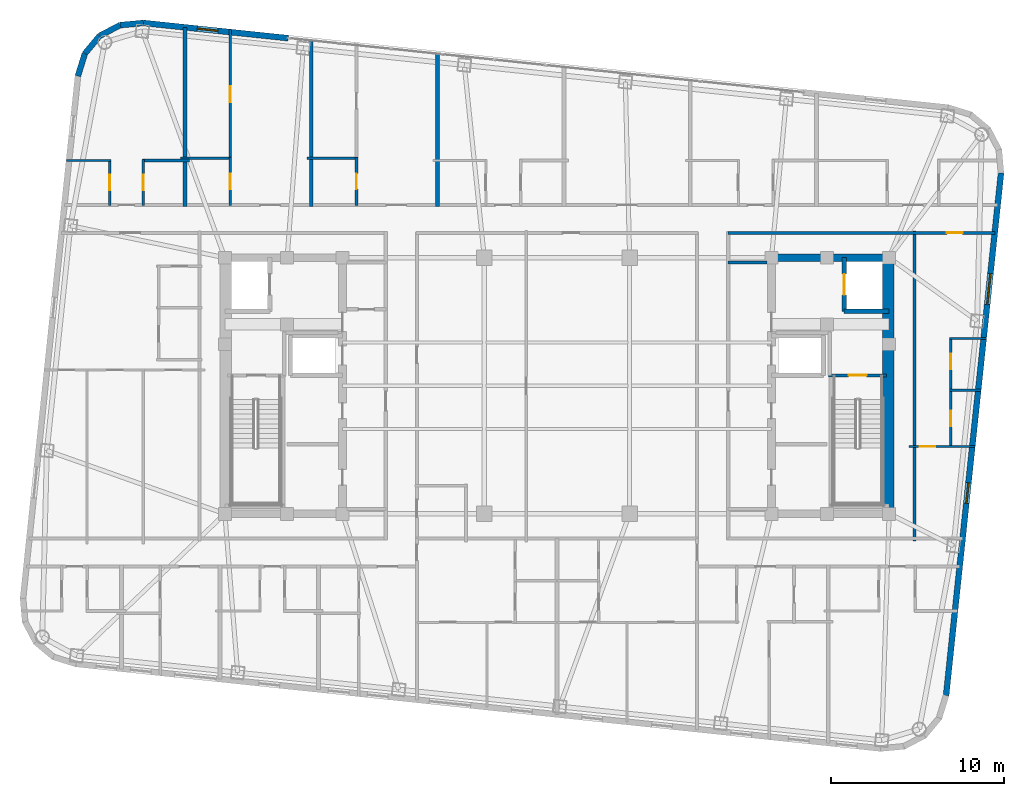
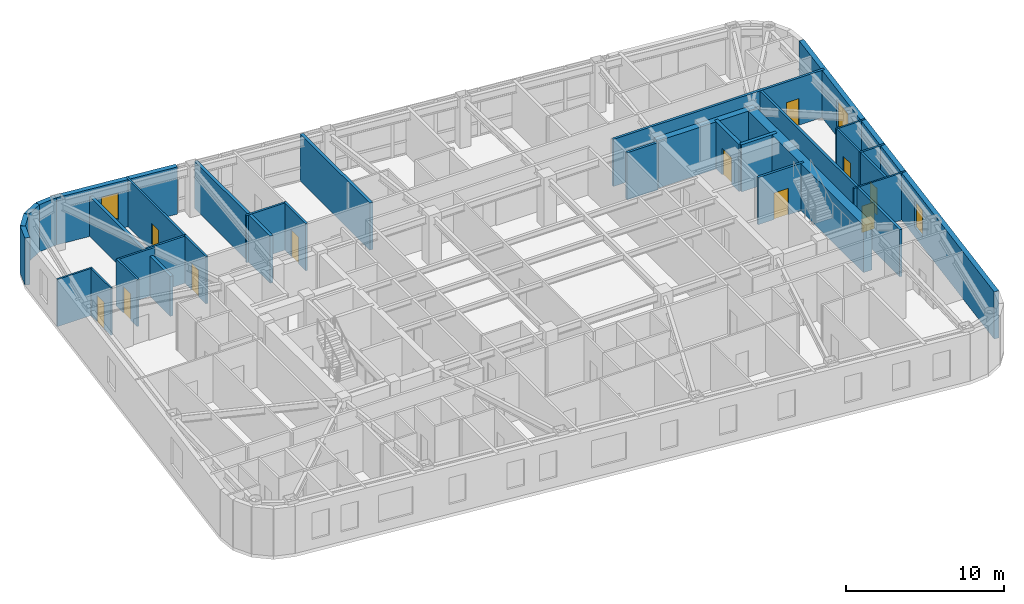
# One storey, part 12 of 15: 31 walls, 11 doors, 3 windows, 14 openings.
"""IFC4 building model written with IfcOpenShell, lengths in metres."""

from ifc_helpers import new_model, si_unit, direction, frame, frame_2d, origin, place, context, subcontext, project, spatial, rectangle, extrude, material, layer, layer_set, type_object, element, fill, save


model = new_model("IFC4")

# Units and contexts
model_context = context("Model", 3, precision=1e-05, world=origin(), true_north=direction((0.0, 1.0)))
body_context = subcontext(model_context, "Body", "Model", "MODEL_VIEW")
ifc_project = project(units=[si_unit("LENGTHUNIT", "METRE"), si_unit("AREAUNIT", "SQUARE_METRE"), si_unit("VOLUMEUNIT", "CUBIC_METRE"), si_unit("PLANEANGLEUNIT", "RADIAN"), si_unit("MASSUNIT", "GRAM", prefix="KILO")], contexts=[model_context])

# Site, building, storey
site_placement = place(None, origin())
site = spatial("IfcSite", under=ifc_project, at=site_placement, CompositionType="ELEMENT")
building_placement = place(site_placement, origin())
building = spatial("IfcBuilding", under=site, at=building_placement, Name="Voryun Gate Residences", CompositionType="ELEMENT")
storey_placement = place(building_placement, frame((0.0, 0.0, 263.89990234375)))
storey = spatial("IfcBuildingStorey", under=building, at=storey_placement, Name="L65", CompositionType="ELEMENT", Elevation=263.89990234375)

# Walls
ifc_material_1 = material(Name="Concrete C50/60", Category="concrete")
ifc_layer_1 = layer(ifc_material_1, 0.449951171875, Name="CW_CORE_450")
ifc_layer_set_1 = layer_set([ifc_layer_1], Name="Concrete C50/60")
wall_type_1 = type_object("IfcWallType", Name="CW_CORE_450", PredefinedType="SHEAR", material=ifc_layer_set_1)
wall_1_placement = place(storey_placement, frame((12.175048828125, 7.39990234375, 0.0), z_axis=(0.0, 0.0, 1.0), x_axis=(1.0, 0.0, 0.0)))
element("IfcWall", 1, at=wall_1_placement, inside=storey, type_object=wall_type_1, Name="L65 Core shear wall CW-L65-EN", PredefinedType="SHEAR", context=body_context, shape_type="SweptSolid", body=[
    extrude(rectangle(XDim=7.25, YDim=0.449951171875, at=frame_2d((3.625, 0.0))), origin(), (0.0, 0.0, 1.0), 3.650146484375),
])
ifc_material_2 = material(Name="Concrete C60/75", Category="concrete")
ifc_layer_2 = layer(ifc_material_2, 0.64990234375, Name="CW_CORE_650")
ifc_layer_set_2 = layer_set([ifc_layer_2], Name="Concrete C60/75")
wall_type_2 = type_object("IfcWallType", Name="CW_CORE_650", PredefinedType="SHEAR", material=ifc_layer_set_2)
wall_2_placement = place(storey_placement, frame((19.14501953125, -7.39990234375, 0.0), z_axis=(0.0, 0.0, 1.0), x_axis=(0.0, 1.0, 0.0)))
element("IfcWall", 2, at=wall_2_placement, inside=storey, type_object=wall_type_2, Name="L65 Core shear wall CW-L65-EE", PredefinedType="SHEAR", context=body_context, shape_type="SweptSolid", body=[
    extrude(rectangle(XDim=14.7998046875, YDim=0.64990234375, at=frame_2d((7.39990234375, 0.0))), origin(), (0.0, 0.0, 1.0), 3.650146484375),
])

# Wall, opening, door
ifc_material_3 = material(Name="Gypsum acoustic fireboard")
ifc_layer_3 = layer(ifc_material_3, 0.179931640625, Name="W_CORR_RATED_180")
ifc_layer_set_3 = layer_set([ifc_layer_3], Name="Gypsum acoustic fireboard")
wall_type_3 = type_object("IfcWallType", Name="W_CORR_RATED_180", PredefinedType="PARTITIONING", material=ifc_layer_set_3)
wall_3_placement = place(storey_placement, frame((15.699951171875, 0.60009765625, 0.0), z_axis=(0.0, 0.0, 1.0), x_axis=(1.0, 0.0, 0.0)))
wall_3 = element("IfcWall", 3, at=wall_3_placement, inside=storey, type_object=wall_type_3, Name="Partition wall WP-L65-STV-E", PredefinedType="PARTITIONING", context=body_context, shape_type="SweptSolid", body=[
    extrude(rectangle(XDim=3.360107421875, YDim=0.179931640625, at=frame_2d((1.68017578125, 0.0))), origin(), (0.0, 0.0, 1.0), 3.650146484375),
])
opening_1_placement = place(wall_3_placement, frame((1.155029296875, 0.0, 0.0)))
opening_1 = element("IfcOpeningElement", 4, at=opening_1_placement, cuts=wall_3, Name="Opening D-FD60-1", PredefinedType="OPENING", context=body_context, shape_type="SweptSolid", body=[
    extrude(rectangle(XDim=1.050048828125, YDim=2.050048828125, at=frame_2d((0.52490234375, 1.02490234375))), frame((0.0, 0.099853515625, 0.0), z_axis=(0.0, -1.0, 0.0), x_axis=(1.0, 0.0, 0.0)), (0.0, 0.0, 1.0), 0.199951171875),
])
ifc_material_4 = material(Name="Painted steel fire door", Category="steel")
door_type_1 = type_object("IfcDoorType", Name="DR_FD60_STAIR_1050", OperationType="NOTDEFINED", PredefinedType="DOOR", material=ifc_material_4)
door_1_placement = place(opening_1_placement, origin())
door_1 = element("IfcDoor", 5, at=door_1_placement, inside=storey, type_object=door_type_1, Name="Door DR-L65-ST-E", OperationType="SINGLE_SWING_RIGHT", OverallHeight=2.050048828125, OverallWidth=1.050048828125, PredefinedType="DOOR", context=body_context, shape_type="SweptSolid", body=[
    extrude(rectangle(XDim=1.050048828125, YDim=2.050048828125, at=frame_2d((0.52490234375, 1.02490234375))), frame((0.0, 0.02490234375, 0.0), z_axis=(0.0, -1.0, 0.0), x_axis=(1.0, 0.0, 0.0)), (0.0, 0.0, 1.0), 0.050048828125),
])
fill(opening_1, door_1)

# Wall
wall_4_placement = place(storey_placement, frame((9.8798828125, 7.1201171875, 0.0), z_axis=(0.0, 0.0, 1.0), x_axis=(1.0, 0.0, 0.0)))
element("IfcWall", 6, at=wall_4_placement, inside=storey, type_object=wall_type_3, Name="Partition wall WP-L65-PLBN-E", PredefinedType="PARTITIONING", context=body_context, shape_type="SweptSolid", body=[
    extrude(rectangle(XDim=2.27001953125, YDim=0.179931640625, at=frame_2d((1.135009765625, 0.0))), origin(), (0.0, 0.0, 1.0), 3.650146484375),
])

# Wall, opening, door
wall_5_placement = place(storey_placement, frame((9.8798828125, 8.840087890625, 0.0), z_axis=(0.0, 0.0, 1.0), x_axis=(1.0, 0.0, 0.0)))
wall_5 = element("IfcWall", 7, at=wall_5_placement, inside=storey, type_object=wall_type_3, Name="Partition wall WP-L65-CWING-EN", PredefinedType="PARTITIONING", context=body_context, shape_type="SweptSolid", body=[
    extrude(rectangle(XDim=15.427001953125, YDim=0.179931640625, at=frame_2d((7.71337890625, 0.0))), origin(), (0.0, 0.0, 1.0), 3.650146484375),
])
opening_2_placement = place(wall_5_placement, frame((12.662841796875, 0.0, 0.0)))
opening_2 = element("IfcOpeningElement", 8, at=opening_2_placement, cuts=wall_5, Name="Opening D-INT-2", PredefinedType="OPENING", context=body_context, shape_type="SweptSolid", body=[
    extrude(rectangle(XDim=0.89990234375, YDim=2.050048828125, at=frame_2d((0.449951171875, 1.02490234375))), frame((0.0, 0.099853515625, 0.0), z_axis=(0.0, -1.0, 0.0), x_axis=(1.0, 0.0, 0.0)), (0.0, 0.0, 1.0), 0.199951171875),
])
ifc_material_5 = material(Name="Architectural oak veneer")
door_type_2 = type_object("IfcDoorType", Name="DR_INT_BATH_900", OperationType="NOTDEFINED", PredefinedType="DOOR", material=ifc_material_5)
door_2_placement = place(opening_2_placement, origin())
door_2 = element("IfcDoor", 9, at=door_2_placement, inside=storey, type_object=door_type_2, Name="Door DR-L65-EE1N", OperationType="SINGLE_SWING_LEFT", OverallHeight=2.050048828125, OverallWidth=0.89990234375, PredefinedType="DOOR", context=body_context, shape_type="SweptSolid", body=[
    extrude(rectangle(XDim=0.89990234375, YDim=2.050048828125, at=frame_2d((0.449951171875, 1.02490234375))), frame((0.0, 0.02490234375, 0.0), z_axis=(0.0, -1.0, 0.0), x_axis=(1.0, 0.0, 0.0)), (0.0, 0.0, 1.0), 0.050048828125),
])
fill(opening_2, door_2)

# Walls
wall_6_placement = place(storey_placement, frame((20.669921875, -8.9599609375, 0.0), z_axis=(0.0, 0.0, 1.0), x_axis=(0.0, 1.0, 0.0)))
element("IfcWall", 10, at=wall_6_placement, inside=storey, type_object=wall_type_3, Name="Partition wall WP-L65-ECOR", PredefinedType="PARTITIONING", context=body_context, shape_type="SweptSolid", body=[
    extrude(rectangle(XDim=17.919921875, YDim=0.179931640625, at=frame_2d((8.9599609375, 0.0))), origin(), (0.0, 0.0, 1.0), 3.650146484375),
])
ifc_material_6 = material(Name="Charcoal terracotta masonry", Category="masonry")
ifc_layer_4 = layer(ifc_material_6, 0.340087890625, Name="W_EXT_TERRACOTTA_340")
ifc_layer_set_4 = layer_set([ifc_layer_4], Name="Charcoal terracotta masonry")
wall_type_4 = type_object("IfcWallType", Name="W_EXT_TERRACOTTA_340", PredefinedType="ELEMENTEDWALL", material=ifc_layer_set_4)
wall_7_placement = place(storey_placement, frame((-27.69580078125, 17.904541015625, 0.0), z_axis=(0.0, 0.0, 1.0), x_axis=(0.296416228123, 0.955058856671, 0.0)))
element("IfcWall", 11, at=wall_7_placement, inside=storey, type_object=wall_type_4, Name="Exterior wall WEXT-L65-07", PredefinedType="ELEMENTEDWALL", context=body_context, shape_type="SweptSolid", body=[
    extrude(rectangle(XDim=1.35400390625, YDim=0.340087890625, at=frame_2d((0.677001953125, 0.0))), origin(), (0.0, 0.0, 1.0), 3.650146484375),
])
wall_8_placement = place(storey_placement, frame((-27.29443359375, 19.19775390625, 0.0), z_axis=(0.0, 0.0, 1.0), x_axis=(0.639501603217, 0.768789762863, 0.0)))
element("IfcWall", 12, at=wall_8_placement, inside=storey, type_object=wall_type_4, Name="Exterior wall WEXT-L65-08", PredefinedType="ELEMENTEDWALL", context=body_context, shape_type="SweptSolid", body=[
    extrude(rectangle(XDim=1.3369140625, YDim=0.340087890625, at=frame_2d((0.66845703125, 0.0))), origin(), (0.0, 0.0, 1.0), 3.650146484375),
])
wall_9_placement = place(storey_placement, frame((-26.439453125, 20.2255859375, 0.0), z_axis=(0.0, 0.0, 1.0), x_axis=(0.884922182678, 0.465738908193, 0.0)))
element("IfcWall", 13, at=wall_9_placement, inside=storey, type_object=wall_type_4, Name="Exterior wall WEXT-L65-09", PredefinedType="ELEMENTEDWALL", context=body_context, shape_type="SweptSolid", body=[
    extrude(rectangle(XDim=1.337158203125, YDim=0.340087890625, at=frame_2d((0.66845703125, 0.0))), origin(), (0.0, 0.0, 1.0), 3.650146484375),
])
wall_10_placement = place(storey_placement, frame((-25.256103515625, 20.848388671875, 0.0), z_axis=(0.0, 0.0, 1.0), x_axis=(0.995813013343, 0.091413579172, 0.0)))
element("IfcWall", 14, at=wall_10_placement, inside=storey, type_object=wall_type_4, Name="Exterior wall WEXT-L65-10", PredefinedType="ELEMENTEDWALL", context=body_context, shape_type="SweptSolid", body=[
    extrude(rectangle(XDim=1.35400390625, YDim=0.340087890625, at=frame_2d((0.677001953125, 0.0))), origin(), (0.0, 0.0, 1.0), 3.650146484375),
])

# Wall, opening, window
wall_11_placement = place(storey_placement, frame((-23.90771484375, 20.97216796875, 0.0), z_axis=(0.0, 0.0, 1.0), x_axis=(0.994522285292, -0.104524753323, 0.0)))
wall_11 = element("IfcWall", 15, at=wall_11_placement, inside=storey, type_object=wall_type_4, Name="Exterior wall WEXT-L65-11A", PredefinedType="ELEMENTEDWALL", context=body_context, shape_type="SweptSolid", body=[
    extrude(rectangle(XDim=8.41796875, YDim=0.340087890625, at=frame_2d((4.208984375, 0.0))), origin(), (0.0, 0.0, 1.0), 3.650146484375),
])
opening_3_placement = place(wall_11_placement, frame((3.135498046875, 0.0, 0.75)))
opening_3 = element("IfcOpeningElement", 16, at=opening_3_placement, cuts=wall_11, Name="Opening WN6", PredefinedType="OPENING", context=body_context, shape_type="SweptSolid", body=[
    extrude(rectangle(XDim=1.199951171875, YDim=2.050048828125, at=frame_2d((0.60009765625, 1.02490234375))), frame((0.0, 0.179931640625, 0.0), z_axis=(0.0, -1.0, 0.0), x_axis=(1.0, 0.0, 0.0)), (0.0, 0.0, 1.0), 0.360107421875),
])
ifc_material_7 = material(Name="Laminated low-E glass", Category="glass")
window_type_1 = type_object("IfcWindowType", Name="WN_POD_SLOT_1200", PartitioningType="SINGLE_PANEL", PredefinedType="WINDOW", material=ifc_material_7)
window_1_placement = place(opening_3_placement, origin())
window_1 = element("IfcWindow", 17, at=window_1_placement, inside=storey, type_object=window_type_1, Name="Window WN-L65-DWFIX-02", OverallHeight=2.050048828125, OverallWidth=1.199951171875, PartitioningType="SINGLE_PANEL", PredefinedType="WINDOW", context=body_context, shape_type="SweptSolid", body=[
    extrude(rectangle(XDim=1.199951171875, YDim=2.050048828125, at=frame_2d((0.60009765625, 1.02490234375))), frame((0.0, 0.030029296875, 0.0), z_axis=(0.0, -1.0, 0.0), x_axis=(1.0, 0.0, 0.0)), (0.0, 0.0, 1.0), 0.06005859375),
])
fill(opening_3, window_1)

# Wall, openings, windows
wall_12_placement = place(storey_placement, frame((25.670166015625, 12.295654296875, 0.0), z_axis=(0.0, 0.0, 1.0), x_axis=(-0.104533282919, -0.994521388791, 0.0)))
wall_12 = element("IfcWall", 18, at=wall_12_placement, inside=storey, type_object=wall_type_4, Name="Exterior wall WEXT-L65-16", PredefinedType="ELEMENTEDWALL", context=body_context, shape_type="SweptSolid", body=[
    extrude(rectangle(XDim=30.366455078125, YDim=0.340087890625, at=frame_2d((15.18310546875, 0.0))), origin(), (0.0, 0.0, 1.0), 3.650146484375),
])
opening_4_placement = place(wall_12_placement, frame((5.841552734375, 0.0, 0.75)))
opening_4 = element("IfcOpeningElement", 19, at=opening_4_placement, cuts=wall_12, Name="Opening WN1", PredefinedType="OPENING", context=body_context, shape_type="SweptSolid", body=[
    extrude(rectangle(XDim=1.800048828125, YDim=2.10009765625, at=frame_2d((0.89990234375, 1.050048828125))), frame((0.0, 0.179931640625, 0.0), z_axis=(0.0, -1.0, 0.0), x_axis=(1.0, 0.0, 0.0)), (0.0, 0.0, 1.0), 0.360107421875),
])
opening_5_placement = place(wall_12_placement, frame((18.0048828125, 0.0, 0.75)))
opening_5 = element("IfcOpeningElement", 20, at=opening_5_placement, cuts=wall_12, Name="Opening WN6", PredefinedType="OPENING", context=body_context, shape_type="SweptSolid", body=[
    extrude(rectangle(XDim=1.199951171875, YDim=2.050048828125, at=frame_2d((0.60009765625, 1.02490234375))), frame((0.0, 0.179931640625, 0.0), z_axis=(0.0, -1.0, 0.0), x_axis=(1.0, 0.0, 0.0)), (0.0, 0.0, 1.0), 0.360107421875),
])
window_2_placement = place(opening_5_placement, origin())
window_2 = element("IfcWindow", 21, at=window_2_placement, inside=storey, type_object=window_type_1, Name="Window WN-L65-DWFIX-16", OverallHeight=2.050048828125, OverallWidth=1.199951171875, PartitioningType="SINGLE_PANEL", PredefinedType="WINDOW", context=body_context, shape_type="SweptSolid", body=[
    extrude(rectangle(XDim=1.199951171875, YDim=2.050048828125, at=frame_2d((0.60009765625, 1.02490234375))), frame((0.0, 0.030029296875, 0.0), z_axis=(0.0, -1.0, 0.0), x_axis=(1.0, 0.0, 0.0)), (0.0, 0.0, 1.0), 0.06005859375),
])
fill(opening_5, window_2)
ifc_material_8 = material(Name="Laminated low-E glass", Category="glass")
window_type_2 = type_object("IfcWindowType", Name="WN_RES_PUNCH_1800", PartitioningType="SINGLE_PANEL", PredefinedType="WINDOW", material=ifc_material_8)
window_3_placement = place(opening_4_placement, origin())
window_3 = element("IfcWindow", 22, at=window_3_placement, inside=storey, type_object=window_type_2, Name="Window WN-WEXT-L65-16-01", OverallHeight=2.10009765625, OverallWidth=1.800048828125, PartitioningType="SINGLE_PANEL", PredefinedType="WINDOW", context=body_context, shape_type="SweptSolid", body=[
    extrude(rectangle(XDim=1.800048828125, YDim=2.10009765625, at=frame_2d((0.89990234375, 1.050048828125))), frame((0.0, 0.030029296875, 0.0), z_axis=(0.0, -1.0, 0.0), x_axis=(1.0, 0.0, 0.0)), (0.0, 0.0, 1.0), 0.06005859375),
])
fill(opening_4, window_3)

# Walls
ifc_material_9 = material(Name="Concrete C40/50", Category="concrete")
ifc_layer_5 = layer(ifc_material_9, 0.219970703125, Name="W_PARTY_ACOUSTIC_220")
ifc_layer_set_5 = layer_set([ifc_layer_5], Name="Concrete C40/50")
wall_type_5 = type_object("IfcWallType", Name="W_PARTY_ACOUSTIC_220", PredefinedType="PARTITIONING", material=ifc_layer_set_5)
wall_13_placement = place(storey_placement, frame((-21.5, 10.3701171875, 0.0), z_axis=(0.0, 0.0, 1.0), x_axis=(0.0, 1.0, 0.0)))
element("IfcWall", 23, at=wall_13_placement, inside=storey, type_object=wall_type_5, Name="Partition wall WP-L65-NPTY-1", PredefinedType="PARTITIONING", context=body_context, shape_type="SweptSolid", body=[
    extrude(rectangle(XDim=10.348876953125, YDim=0.219970703125, at=frame_2d((5.17431640625, 0.0))), origin(), (0.0, 0.0, 1.0), 3.090087890625),
])
wall_14_placement = place(storey_placement, frame((-14.199951171875, 10.3701171875, 0.0), z_axis=(0.0, 0.0, 1.0), x_axis=(0.0, 1.0, 0.0)))
element("IfcWall", 24, at=wall_14_placement, inside=storey, type_object=wall_type_5, Name="Partition wall WP-L65-NPTY-2", PredefinedType="PARTITIONING", context=body_context, shape_type="SweptSolid", body=[
    extrude(rectangle(XDim=9.581787109375, YDim=0.219970703125, at=frame_2d((4.791015625, 0.0))), origin(), (0.0, 0.0, 1.0), 3.650146484375),
])
wall_15_placement = place(storey_placement, frame((-6.89990234375, 10.3701171875, 0.0), z_axis=(0.0, 0.0, 1.0), x_axis=(0.0, 1.0, 0.0)))
element("IfcWall", 25, at=wall_15_placement, inside=storey, type_object=wall_type_5, Name="Partition wall WP-L65-NPTY-3", PredefinedType="PARTITIONING", context=body_context, shape_type="SweptSolid", body=[
    extrude(rectangle(XDim=8.814453125, YDim=0.219970703125, at=frame_2d((4.4072265625, 0.0))), origin(), (0.0, 0.0, 1.0), 3.650146484375),
])
ifc_material_10 = material(Name="Concrete C50/60", Category="concrete")
ifc_layer_6 = layer(ifc_material_10, 0.25, Name="W_SHAFT_RC250")
ifc_layer_set_6 = layer_set([ifc_layer_6], Name="Concrete C50/60")
wall_type_6 = type_object("IfcWallType", Name="W_SHAFT_RC250", PredefinedType="SOLIDWALL", material=ifc_layer_set_6)
wall_16_placement = place(storey_placement, frame((16.60009765625, 4.300048828125, 0.0), z_axis=(0.0, 0.0, 1.0), x_axis=(1.0, 0.0, 0.0)))
element("IfcWall", 26, at=wall_16_placement, inside=storey, type_object=wall_type_6, Name="Lift shaft wall WSH-L65-EL-FF-E1-S", PredefinedType="SOLIDWALL", context=body_context, shape_type="SweptSolid", body=[
    extrude(rectangle(XDim=2.599853515625, YDim=0.25, at=frame_2d((1.2998046875, 0.0))), origin(), (0.0, 0.0, 1.0), 3.650146484375),
])

# Wall, opening, door
wall_17_placement = place(storey_placement, frame((16.60009765625, 7.39990234375, 0.0), z_axis=(0.0, 0.0, 1.0), x_axis=(0.0, -1.0, 0.0)))
wall_17 = element("IfcWall", 27, at=wall_17_placement, inside=storey, type_object=wall_type_6, Name="Lift shaft wall WSH-L65-EL-FF-E1-W", PredefinedType="SOLIDWALL", context=body_context, shape_type="SweptSolid", body=[
    extrude(rectangle(XDim=3.099853515625, YDim=0.25, at=frame_2d((1.5498046875, 0.0))), origin(), (0.0, 0.0, 1.0), 3.650146484375),
])
opening_6_placement = place(wall_17_placement, frame((0.949951171875, 0.0, 0.0)))
opening_6 = element("IfcOpeningElement", 28, at=opening_6_placement, cuts=wall_17, Name="Opening LD1", PredefinedType="OPENING", context=body_context, shape_type="SweptSolid", body=[
    extrude(rectangle(XDim=1.199951171875, YDim=2.050048828125, at=frame_2d((0.60009765625, 1.02490234375))), frame((0.0, 0.135009765625, 0.0), z_axis=(0.0, -1.0, 0.0), x_axis=(1.0, 0.0, 0.0)), (0.0, 0.0, 1.0), 0.27001953125),
])
ifc_material_11 = material(Name="Anodised aluminium", Category="aluminium")
door_type_3 = type_object("IfcDoorType", Name="DR_LD_FF_1200", OperationType="NOTDEFINED", PredefinedType="DOOR", material=ifc_material_11)
door_3_placement = place(opening_6_placement, origin())
door_3 = element("IfcDoor", 29, at=door_3_placement, inside=storey, type_object=door_type_3, Name="Lift EL-FF-E1 sliding landing door L65", OperationType="SLIDING_TO_LEFT", OverallHeight=2.050048828125, OverallWidth=1.199951171875, PredefinedType="DOOR", context=body_context, shape_type="SweptSolid", body=[
    extrude(rectangle(XDim=1.199951171875, YDim=2.050048828125, at=frame_2d((0.60009765625, 1.02490234375))), frame((0.0, 0.02490234375, 0.0), z_axis=(0.0, -1.0, 0.0), x_axis=(1.0, 0.0, 0.0)), (0.0, 0.0, 1.0), 0.050048828125),
])
fill(opening_6, door_3)

ifc_material_12 = material(Name="Gypsum acoustic partition")
ifc_layer_7 = layer(ifc_material_12, 0.125, Name="W_UNIT_PART_125")
ifc_layer_set_7 = layer_set([ifc_layer_7], Name="Gypsum acoustic partition")
wall_type_7 = type_object("IfcWallType", Name="W_UNIT_PART_125", PredefinedType="PARTITIONING", material=ifc_layer_set_7)
wall_18_placement = place(storey_placement, frame((-25.85302734375, 10.429931640625, 0.0), z_axis=(0.0, 0.0, 1.0), x_axis=(0.0, 1.0, 0.0)))
wall_18 = element("IfcWall", 30, at=wall_18_placement, inside=storey, type_object=wall_type_7, Name="Partition wall WP-L65-N1-CVK", PredefinedType="PARTITIONING", context=body_context, shape_type="SweptSolid", body=[
    extrude(rectangle(XDim=2.650146484375, YDim=0.125, at=frame_2d((1.3251953125, 0.0))), origin(), (0.0, 0.0, 1.0), 3.650146484375),
])
opening_7_placement = place(wall_18_placement, frame((0.875, 0.0, 0.0)))
opening_7 = element("IfcOpeningElement", 31, at=opening_7_placement, cuts=wall_18, Name="Opening D-INT-2", PredefinedType="OPENING", context=body_context, shape_type="SweptSolid", body=[
    extrude(rectangle(XDim=0.89990234375, YDim=2.050048828125, at=frame_2d((0.449951171875, 1.02490234375))), frame((0.0, 0.072509765625, 0.0), z_axis=(0.0, -1.0, 0.0), x_axis=(1.0, 0.0, 0.0)), (0.0, 0.0, 1.0), 0.14501953125),
])
door_4_placement = place(opening_7_placement, origin())
door_4 = element("IfcDoor", 32, at=door_4_placement, inside=storey, type_object=door_type_2, Name="Door DR-L65-N1-DK", OperationType="SINGLE_SWING_LEFT", OverallHeight=2.050048828125, OverallWidth=0.89990234375, PredefinedType="DOOR", context=body_context, shape_type="SweptSolid", body=[
    extrude(rectangle(XDim=0.89990234375, YDim=2.050048828125, at=frame_2d((0.449951171875, 1.02490234375))), frame((0.0, 0.02490234375, 0.0), z_axis=(0.0, -1.0, 0.0), x_axis=(1.0, 0.0, 0.0)), (0.0, 0.0, 1.0), 0.050048828125),
])
fill(opening_7, door_4)

# Walls
wall_19_placement = place(storey_placement, frame((-28.360107421875, 13.02001953125, 0.0), z_axis=(0.0, 0.0, 1.0), x_axis=(1.0, 0.0, 0.0)))
element("IfcWall", 33, at=wall_19_placement, inside=storey, type_object=wall_type_7, Name="Partition wall WP-L65-N1-CHK", PredefinedType="PARTITIONING", context=body_context, shape_type="SweptSolid", body=[
    extrude(rectangle(XDim=2.567138671875, YDim=0.125, at=frame_2d((1.28369140625, 0.0))), origin(), (0.0, 0.0, 1.0), 3.650146484375),
])
wall_20_placement = place(storey_placement, frame((22.679931640625, 2.739990234375, 0.0), z_axis=(0.0, 0.0, 1.0), x_axis=(1.0, 0.0, 0.0)))
element("IfcWall", 34, at=wall_20_placement, inside=storey, type_object=wall_type_7, Name="Partition wall WP-L65-E1-HZ1", PredefinedType="PARTITIONING", context=body_context, shape_type="SweptSolid", body=[
    extrude(rectangle(XDim=2.13671875, YDim=0.125, at=frame_2d((1.068359375, 0.0))), origin(), (0.0, 0.0, 1.0), 3.650146484375),
])

# Wall, opening, door
wall_21_placement = place(storey_placement, frame((20.35009765625, -3.510009765625, 0.0), z_axis=(0.0, 0.0, 1.0), x_axis=(1.0, 0.0, 0.0)))
wall_21 = element("IfcWall", 35, at=wall_21_placement, inside=storey, type_object=wall_type_7, Name="Partition wall WP-L65-E1-HZ3", PredefinedType="PARTITIONING", context=body_context, shape_type="SweptSolid", body=[
    extrude(rectangle(XDim=3.8095703125, YDim=0.125, at=frame_2d((1.90478515625, 0.0))), origin(), (0.0, 0.0, 1.0), 3.650146484375),
])
opening_8_placement = place(wall_21_placement, frame((0.608154296875, 0.0, 0.0)))
opening_8 = element("IfcOpeningElement", 36, at=opening_8_placement, cuts=wall_21, Name="Opening D-INT-2", PredefinedType="OPENING", context=body_context, shape_type="SweptSolid", body=[
    extrude(rectangle(XDim=0.89990234375, YDim=2.050048828125, at=frame_2d((0.449951171875, 1.02490234375))), frame((0.0, 0.072509765625, 0.0), z_axis=(0.0, -1.0, 0.0), x_axis=(1.0, 0.0, 0.0)), (0.0, 0.0, 1.0), 0.14501953125),
])
door_5_placement = place(opening_8_placement, origin())
door_5 = element("IfcDoor", 37, at=door_5_placement, inside=storey, type_object=door_type_2, Name="Door DR-L65-E1-DMB", OperationType="SINGLE_SWING_LEFT", OverallHeight=2.050048828125, OverallWidth=0.89990234375, PredefinedType="DOOR", context=body_context, shape_type="SweptSolid", body=[
    extrude(rectangle(XDim=0.89990234375, YDim=2.050048828125, at=frame_2d((0.449951171875, 1.02490234375))), frame((0.0, 0.02490234375, 0.0), z_axis=(0.0, -1.0, 0.0), x_axis=(1.0, 0.0, 0.0)), (0.0, 0.0, 1.0), 0.050048828125),
])
fill(opening_8, door_5)

ifc_material_13 = material(Name="Gypsum moisture-resistant partition")
ifc_layer_8 = layer(ifc_material_13, 0.14990234375, Name="W_WET_PLUMB_150")
ifc_layer_set_8 = layer_set([ifc_layer_8], Name="Gypsum moisture-resistant partition")
wall_type_8 = type_object("IfcWallType", Name="W_WET_PLUMB_150", PredefinedType="PLUMBINGWALL", material=ifc_layer_set_8)
wall_22_placement = place(storey_placement, frame((-23.9140625, 10.429931640625, 0.0), z_axis=(0.0, 0.0, 1.0), x_axis=(0.0, 1.0, 0.0)))
wall_22 = element("IfcWall", 38, at=wall_22_placement, inside=storey, type_object=wall_type_8, Name="Partition wall WP-L65-N1-CVB", PredefinedType="PLUMBINGWALL", context=body_context, shape_type="SweptSolid", body=[
    extrude(rectangle(XDim=2.650146484375, YDim=0.14990234375, at=frame_2d((1.3251953125, 0.0))), origin(), (0.0, 0.0, 1.0), 3.650146484375),
])
opening_9_placement = place(wall_22_placement, frame((0.875, 0.0, 0.0)))
opening_9 = element("IfcOpeningElement", 39, at=opening_9_placement, cuts=wall_22, Name="Opening D-INT-2", PredefinedType="OPENING", context=body_context, shape_type="SweptSolid", body=[
    extrude(rectangle(XDim=0.89990234375, YDim=2.050048828125, at=frame_2d((0.449951171875, 1.02490234375))), frame((0.0, 0.0849609375, 0.0), z_axis=(0.0, -1.0, 0.0), x_axis=(1.0, 0.0, 0.0)), (0.0, 0.0, 1.0), 0.169921875),
])
door_6_placement = place(opening_9_placement, origin())
door_6 = element("IfcDoor", 40, at=door_6_placement, inside=storey, type_object=door_type_2, Name="Door DR-L65-N1-DB", OperationType="SINGLE_SWING_RIGHT", OverallHeight=2.050048828125, OverallWidth=0.89990234375, PredefinedType="DOOR", context=body_context, shape_type="SweptSolid", body=[
    extrude(rectangle(XDim=0.89990234375, YDim=2.050048828125, at=frame_2d((0.449951171875, 1.02490234375))), frame((0.0, 0.02490234375, 0.0), z_axis=(0.0, -1.0, 0.0), x_axis=(1.0, 0.0, 0.0)), (0.0, 0.0, 1.0), 0.050048828125),
])
fill(opening_9, door_6)

# Walls
wall_23_placement = place(storey_placement, frame((-23.97412109375, 13.02001953125, 0.0), z_axis=(0.0, 0.0, 1.0), x_axis=(1.0, 0.0, 0.0)))
element("IfcWall", 41, at=wall_23_placement, inside=storey, type_object=wall_type_8, Name="Partition wall WP-L65-N1-CHB", PredefinedType="PLUMBINGWALL", context=body_context, shape_type="SweptSolid", body=[
    extrude(rectangle(XDim=2.734130859375, YDim=0.14990234375, at=frame_2d((1.3671875, 0.0))), origin(), (0.0, 0.0, 1.0), 3.650146484375),
])
wall_24_placement = place(storey_placement, frame((-21.760009765625, 13.14990234375, 0.0), z_axis=(0.0, 0.0, 1.0), x_axis=(1.0, 0.0, 0.0)))
element("IfcWall", 42, at=wall_24_placement, inside=storey, type_object=wall_type_8, Name="Partition wall WP-L65-N2-SKB", PredefinedType="PLUMBINGWALL", context=body_context, shape_type="SweptSolid", body=[
    extrude(rectangle(XDim=2.949951171875, YDim=0.14990234375, at=frame_2d((1.47509765625, 0.0))), origin(), (0.0, 0.0, 1.0), 3.650146484375),
])

# Wall, opening, door
wall_25_placement = place(storey_placement, frame((-18.889892578125, 10.429931640625, 0.0), z_axis=(0.0, 0.0, 1.0), x_axis=(0.0, 1.0, 0.0)))
wall_25 = element("IfcWall", 43, at=wall_25_placement, inside=storey, type_object=wall_type_8, Name="Partition wall WP-L65-N2-SVT1", PredefinedType="PLUMBINGWALL", context=body_context, shape_type="SweptSolid", body=[
    extrude(rectangle(XDim=2.760009765625, YDim=0.14990234375, at=frame_2d((1.3798828125, 0.0))), origin(), (0.0, 0.0, 1.0), 3.650146484375),
])
opening_10_placement = place(wall_25_placement, frame((0.929931640625, 0.0, 0.0)))
opening_10 = element("IfcOpeningElement", 44, at=opening_10_placement, cuts=wall_25, Name="Opening D-INT-2", PredefinedType="OPENING", context=body_context, shape_type="SweptSolid", body=[
    extrude(rectangle(XDim=0.89990234375, YDim=2.050048828125, at=frame_2d((0.449951171875, 1.02490234375))), frame((0.0, 0.0849609375, 0.0), z_axis=(0.0, -1.0, 0.0), x_axis=(1.0, 0.0, 0.0)), (0.0, 0.0, 1.0), 0.169921875),
])
door_7_placement = place(opening_10_placement, origin())
door_7 = element("IfcDoor", 45, at=door_7_placement, inside=storey, type_object=door_type_2, Name="Door DR-L65-N2-DB", OperationType="SINGLE_SWING_LEFT", OverallHeight=2.050048828125, OverallWidth=0.89990234375, PredefinedType="DOOR", context=body_context, shape_type="SweptSolid", body=[
    extrude(rectangle(XDim=0.89990234375, YDim=2.050048828125, at=frame_2d((0.449951171875, 1.02490234375))), frame((0.0, 0.02490234375, 0.0), z_axis=(0.0, -1.0, 0.0), x_axis=(1.0, 0.0, 0.0)), (0.0, 0.0, 1.0), 0.050048828125),
])
fill(opening_10, door_7)

wall_26_placement = place(storey_placement, frame((-18.889892578125, 13.110107421875, 0.0), z_axis=(0.0, 0.0, 1.0), x_axis=(0.0, 1.0, 0.0)))
wall_26 = element("IfcWall", 46, at=wall_26_placement, inside=storey, type_object=wall_type_8, Name="Partition wall WP-L65-N2-SVT2", PredefinedType="PLUMBINGWALL", context=body_context, shape_type="SweptSolid", body=[
    extrude(rectangle(XDim=7.485595703125, YDim=0.14990234375, at=frame_2d((3.74267578125, 0.0))), origin(), (0.0, 0.0, 1.0), 3.650146484375),
])
opening_11_placement = place(wall_26_placement, frame((3.292724609375, 0.0, 0.0)))
opening_11 = element("IfcOpeningElement", 47, at=opening_11_placement, cuts=wall_26, Name="Opening D-INT-2", PredefinedType="OPENING", context=body_context, shape_type="SweptSolid", body=[
    extrude(rectangle(XDim=0.89990234375, YDim=2.050048828125, at=frame_2d((0.449951171875, 1.02490234375))), frame((0.0, 0.0849609375, 0.0), z_axis=(0.0, -1.0, 0.0), x_axis=(1.0, 0.0, 0.0)), (0.0, 0.0, 1.0), 0.169921875),
])
door_8_placement = place(opening_11_placement, origin())
door_8 = element("IfcDoor", 48, at=door_8_placement, inside=storey, type_object=door_type_2, Name="Door DR-L65-N2-DK", OperationType="SINGLE_SWING_RIGHT", OverallHeight=2.050048828125, OverallWidth=0.89990234375, PredefinedType="DOOR", context=body_context, shape_type="SweptSolid", body=[
    extrude(rectangle(XDim=0.89990234375, YDim=2.050048828125, at=frame_2d((0.449951171875, 1.02490234375))), frame((0.0, 0.02490234375, 0.0), z_axis=(0.0, -1.0, 0.0), x_axis=(1.0, 0.0, 0.0)), (0.0, 0.0, 1.0), 0.050048828125),
])
fill(opening_11, door_8)

# Wall
wall_27_placement = place(storey_placement, frame((-14.4599609375, 13.14990234375, 0.0), z_axis=(0.0, 0.0, 1.0), x_axis=(1.0, 0.0, 0.0)))
element("IfcWall", 49, at=wall_27_placement, inside=storey, type_object=wall_type_8, Name="Partition wall WP-L65-N3-SKB", PredefinedType="PLUMBINGWALL", context=body_context, shape_type="SweptSolid", body=[
    extrude(rectangle(XDim=2.949951171875, YDim=0.14990234375, at=frame_2d((1.47509765625, 0.0))), origin(), (0.0, 0.0, 1.0), 3.650146484375),
])

# Wall, opening, door
wall_28_placement = place(storey_placement, frame((-11.590087890625, 10.429931640625, 0.0), z_axis=(0.0, 0.0, 1.0), x_axis=(0.0, 1.0, 0.0)))
wall_28 = element("IfcWall", 50, at=wall_28_placement, inside=storey, type_object=wall_type_8, Name="Partition wall WP-L65-N3-SVT1", PredefinedType="PLUMBINGWALL", context=body_context, shape_type="SweptSolid", body=[
    extrude(rectangle(XDim=2.760009765625, YDim=0.14990234375, at=frame_2d((1.3798828125, 0.0))), origin(), (0.0, 0.0, 1.0), 3.650146484375),
])
opening_12_placement = place(wall_28_placement, frame((0.929931640625, 0.0, 0.0)))
opening_12 = element("IfcOpeningElement", 51, at=opening_12_placement, cuts=wall_28, Name="Opening D-INT-2", PredefinedType="OPENING", context=body_context, shape_type="SweptSolid", body=[
    extrude(rectangle(XDim=0.89990234375, YDim=2.050048828125, at=frame_2d((0.449951171875, 1.02490234375))), frame((0.0, 0.0849609375, 0.0), z_axis=(0.0, -1.0, 0.0), x_axis=(1.0, 0.0, 0.0)), (0.0, 0.0, 1.0), 0.169921875),
])
door_9_placement = place(opening_12_placement, origin())
door_9 = element("IfcDoor", 52, at=door_9_placement, inside=storey, type_object=door_type_2, Name="Door DR-L65-N3-DB", OperationType="SINGLE_SWING_LEFT", OverallHeight=2.050048828125, OverallWidth=0.89990234375, PredefinedType="DOOR", context=body_context, shape_type="SweptSolid", body=[
    extrude(rectangle(XDim=0.89990234375, YDim=2.050048828125, at=frame_2d((0.449951171875, 1.02490234375))), frame((0.0, 0.02490234375, 0.0), z_axis=(0.0, -1.0, 0.0), x_axis=(1.0, 0.0, 0.0)), (0.0, 0.0, 1.0), 0.050048828125),
])
fill(opening_12, door_9)

# Wall
wall_29_placement = place(storey_placement, frame((22.679931640625, -0.260009765625, 0.0), z_axis=(0.0, 0.0, 1.0), x_axis=(1.0, 0.0, 0.0)))
element("IfcWall", 53, at=wall_29_placement, inside=storey, type_object=wall_type_8, Name="Partition wall WP-L65-E1-HZ2", PredefinedType="PLUMBINGWALL", context=body_context, shape_type="SweptSolid", body=[
    extrude(rectangle(XDim=1.8212890625, YDim=0.14990234375, at=frame_2d((0.91064453125, 0.0))), origin(), (0.0, 0.0, 1.0), 3.650146484375),
])

# Wall, opening, door
wall_30_placement = place(storey_placement, frame((22.760009765625, -3.550048828125, 0.0), z_axis=(0.0, 0.0, 1.0), x_axis=(0.0, 1.0, 0.0)))
wall_30 = element("IfcWall", 54, at=wall_30_placement, inside=storey, type_object=wall_type_8, Name="Partition wall WP-L65-E1-VKB1", PredefinedType="PLUMBINGWALL", context=body_context, shape_type="SweptSolid", body=[
    extrude(rectangle(XDim=3.330078125, YDim=0.14990234375, at=frame_2d((1.6650390625, 0.0))), origin(), (0.0, 0.0, 1.0), 3.650146484375),
])
opening_13_placement = place(wall_30_placement, frame((1.215087890625, 0.0, 0.0)))
opening_13 = element("IfcOpeningElement", 55, at=opening_13_placement, cuts=wall_30, Name="Opening D-INT-2", PredefinedType="OPENING", context=body_context, shape_type="SweptSolid", body=[
    extrude(rectangle(XDim=0.89990234375, YDim=2.050048828125, at=frame_2d((0.449951171875, 1.02490234375))), frame((0.0, 0.0849609375, 0.0), z_axis=(0.0, -1.0, 0.0), x_axis=(1.0, 0.0, 0.0)), (0.0, 0.0, 1.0), 0.169921875),
])
door_10_placement = place(opening_13_placement, origin())
door_10 = element("IfcDoor", 56, at=door_10_placement, inside=storey, type_object=door_type_2, Name="Door DR-L65-E1-DB", OperationType="SINGLE_SWING_LEFT", OverallHeight=2.050048828125, OverallWidth=0.89990234375, PredefinedType="DOOR", context=body_context, shape_type="SweptSolid", body=[
    extrude(rectangle(XDim=0.89990234375, YDim=2.050048828125, at=frame_2d((0.449951171875, 1.02490234375))), frame((0.0, 0.02490234375, 0.0), z_axis=(0.0, -1.0, 0.0), x_axis=(1.0, 0.0, 0.0)), (0.0, 0.0, 1.0), 0.050048828125),
])
fill(opening_13, door_10)

wall_31_placement = place(storey_placement, frame((22.760009765625, -0.300048828125, 0.0), z_axis=(0.0, 0.0, 1.0), x_axis=(0.0, 1.0, 0.0)))
wall_31 = element("IfcWall", 57, at=wall_31_placement, inside=storey, type_object=wall_type_8, Name="Partition wall WP-L65-E1-VKB2", PredefinedType="PLUMBINGWALL", context=body_context, shape_type="SweptSolid", body=[
    extrude(rectangle(XDim=3.080078125, YDim=0.14990234375, at=frame_2d((1.5400390625, 0.0))), origin(), (0.0, 0.0, 1.0), 3.650146484375),
])
opening_14_placement = place(wall_31_placement, frame((1.243896484375, 0.0, 0.0)))
opening_14 = element("IfcOpeningElement", 58, at=opening_14_placement, cuts=wall_31, Name="Opening D-INT-2", PredefinedType="OPENING", context=body_context, shape_type="SweptSolid", body=[
    extrude(rectangle(XDim=0.89990234375, YDim=2.050048828125, at=frame_2d((0.449951171875, 1.02490234375))), frame((0.0, 0.0849609375, 0.0), z_axis=(0.0, -1.0, 0.0), x_axis=(1.0, 0.0, 0.0)), (0.0, 0.0, 1.0), 0.169921875),
])
door_11_placement = place(opening_14_placement, origin())
door_11 = element("IfcDoor", 59, at=door_11_placement, inside=storey, type_object=door_type_2, Name="Door DR-L65-E1-DK", OperationType="SINGLE_SWING_RIGHT", OverallHeight=2.050048828125, OverallWidth=0.89990234375, PredefinedType="DOOR", context=body_context, shape_type="SweptSolid", body=[
    extrude(rectangle(XDim=0.89990234375, YDim=2.050048828125, at=frame_2d((0.449951171875, 1.02490234375))), frame((0.0, 0.02490234375, 0.0), z_axis=(0.0, -1.0, 0.0), x_axis=(1.0, 0.0, 0.0)), (0.0, 0.0, 1.0), 0.050048828125),
])
fill(opening_14, door_11)

save(model, "model.ifc")
